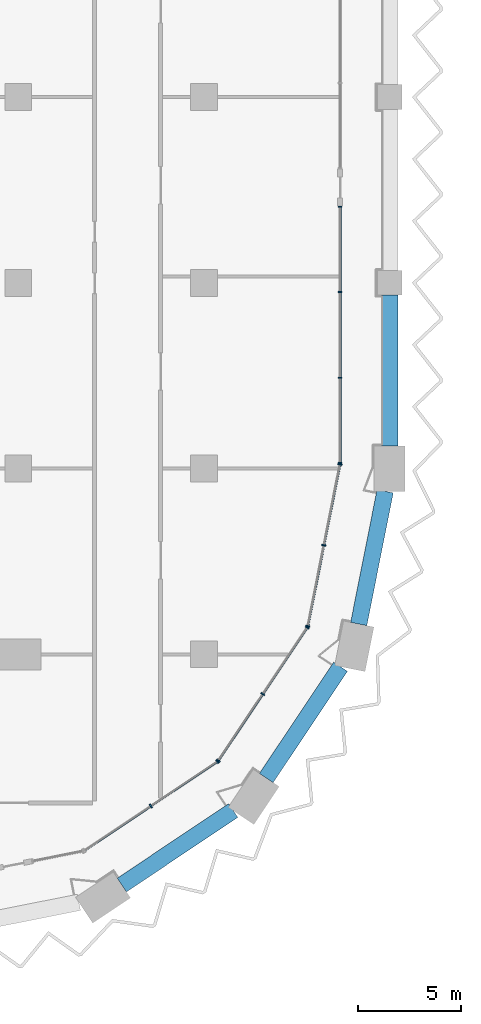
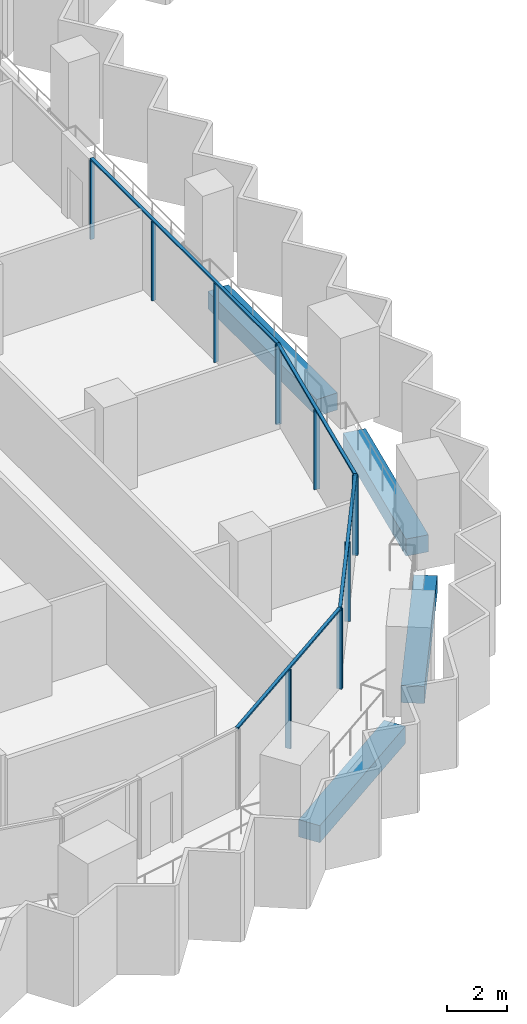
# One storey, part 3 of 22: 16 members, 4 beams, 4 elements without a shape of their own.
"""IFC4 building model written with IfcOpenShell, lengths in metres."""

import ifcopenshell
import ifcopenshell.guid

model = None  # the IFC model being written
_history = None  # IfcOwnerHistory: only IFC2X3 demands one
_inside = {}  # id of a spatial element -> (the spatial element, [elements in it])
_under = {}  # id of a project, library or spatial element -> (it, [spatial elements below it])
_declared = {}  # id of a project -> (the project, [libraries it declares])
_typed = {}  # id of a type object -> (the type object, [elements of that type])
_made_of = {}  # id of a material, layer set ... -> (it, [elements and type objects made of it])


def new_model(schema):
    """Start an empty IFC model of exactly this schema.

    Asked for "IFC4X3", IfcOpenShell would pick the latest addendum, in which some entities
    have other attributes; the version numbers below select the first issue.
    IFC2X3 requires an IfcOwnerHistory on every rooted entity: one is made here for all.
    """
    global model, _history
    if schema == "IFC4X3":
        model = ifcopenshell.file(schema_version=(4, 3, 0, 0))
    else:
        model = ifcopenshell.file(schema=schema)
    _inside.clear()
    _under.clear()
    _declared.clear()
    _typed.clear()
    _made_of.clear()
    _history = None
    if model.schema == "IFC2X3":
        org = make("IfcOrganization", Name="unknown")
        user = make(
            "IfcPersonAndOrganization",
            ThePerson=make("IfcPerson", FamilyName="unknown"),
            TheOrganization=org,
        )
        app = make(
            "IfcApplication",
            ApplicationDeveloper=org,
            Version="unknown",
            ApplicationFullName="unknown",
            ApplicationIdentifier="unknown",
        )
        _history = make(
            "IfcOwnerHistory",
            OwningUser=user,
            OwningApplication=app,
            ChangeAction="ADDED",
            CreationDate=0,
        )
    return model


def make(cls, **values):
    """One entity of the class cls with the attributes given. An attribute that is None is left unset."""
    return model.create_entity(
        cls, **{name: value for name, value in values.items() if value is not None}
    )


def rooted(cls, **values):
    """An entity with a GlobalId (a new one), such as an element, a storey or a relation."""
    return make(cls, GlobalId=ifcopenshell.guid.new(), OwnerHistory=_history, **values)


def si_unit(unit_type, name, prefix=None):
    """IfcSIUnit, for example si_unit("LENGTHUNIT", "METRE", prefix="MILLI")."""
    return make("IfcSIUnit", UnitType=unit_type, Prefix=prefix, Name=name)


def assignment(units):
    """IfcUnitAssignment: the units of a project."""
    return None if units is None else make("IfcUnitAssignment", Units=units)


def point(xyz):
    """IfcCartesianPoint."""
    return None if xyz is None else make("IfcCartesianPoint", Coordinates=xyz)


def direction(xyz):
    """IfcDirection."""
    return None if xyz is None else make("IfcDirection", DirectionRatios=xyz)


def frame(location, z_axis=None, x_axis=None):
    """IfcAxis2Placement3D, a coordinate frame: its origin and axes. An axis left out is left unset."""
    return make(
        "IfcAxis2Placement3D",
        Location=point(location),
        Axis=direction(z_axis),
        RefDirection=direction(x_axis),
    )


def frame_2d(location, x_axis=None):
    """IfcAxis2Placement2D, a coordinate frame in the plane: its origin and x axis."""
    return make(
        "IfcAxis2Placement2D", Location=point(location), RefDirection=direction(x_axis)
    )


def origin():
    """The frame at (0, 0, 0) with its axes left unset."""
    return frame((0.0, 0.0, 0.0))


def origin_2d():
    """The frame at (0, 0) in the plane with its x axis left unset."""
    return frame_2d((0.0, 0.0))


def place(relative_to, where):
    """IfcLocalPlacement: puts the frame where relative to a parent placement (None: the world)."""
    return make(
        "IfcLocalPlacement", PlacementRelTo=relative_to, RelativePlacement=where
    )


def context(
    kind, dimensions, precision=None, world=None, true_north=None, identifier=None
):
    """IfcGeometricRepresentationContext, for example the 3D "Model" context."""
    return make(
        "IfcGeometricRepresentationContext",
        ContextIdentifier=identifier,
        ContextType=kind,
        CoordinateSpaceDimension=dimensions,
        Precision=precision,
        WorldCoordinateSystem=world,
        TrueNorth=true_north,
    )


def subcontext(parent, identifier, kind, view, scale=None):
    """IfcGeometricRepresentationSubContext, for example "Body" below "Model"."""
    return make(
        "IfcGeometricRepresentationSubContext",
        ContextIdentifier=identifier,
        ContextType=kind,
        ParentContext=parent,
        TargetScale=scale,
        TargetView=view,
    )


def project(units=None, contexts=None):
    """IfcProject with its units and contexts."""
    return rooted(
        "IfcProject",
        Name="project",
        RepresentationContexts=contexts,
        UnitsInContext=assignment(units),
    )


def spatial(cls, under=None, at=None, **own):
    """A site, building, storey or space (cls), placed at a placement, below another one or the project."""
    s = rooted(cls, ObjectPlacement=at, **own)
    if under is not None:
        _under.setdefault(under.id(), (under, []))[1].append(s)
    return s


def profile(cls, at=None, kind="AREA", **sizes):
    """A parametric profile (cls). Its sizes go by their IFC names, for example OverallWidth=200.0."""
    return make(cls, ProfileType=kind, Position=at, **sizes)


def rectangle(**sizes):
    """IfcRectangleProfileDef."""
    return profile("IfcRectangleProfileDef", **sizes)


def extrude(swept, where, along, depth):
    """IfcExtrudedAreaSolid: the profile swept, set in the frame where, extruded along a direction by depth."""
    return make(
        "IfcExtrudedAreaSolid",
        SweptArea=swept,
        Position=where,
        ExtrudedDirection=direction(along),
        Depth=depth,
    )


def shape(context_of_items, identifier, shape_type, items):
    """IfcShapeRepresentation: the items that make up one representation, for example the "Body"."""
    return make(
        "IfcShapeRepresentation",
        ContextOfItems=context_of_items,
        RepresentationIdentifier=identifier,
        RepresentationType=shape_type,
        Items=items,
    )


def material(Name=None, Category=None):
    """IfcMaterial."""
    return make("IfcMaterial", Name=Name, Category=Category)


def material_profile(
    of_material, cross_section, Name=None, Category=None, Priority=None
):
    """IfcMaterialProfile: a cross section and its material."""
    return make(
        "IfcMaterialProfile",
        Name=Name,
        Material=of_material,
        Profile=cross_section,
        Priority=Priority,
        Category=Category,
    )


def profile_set(profiles, Name=None, composite=None):
    """IfcMaterialProfileSet."""
    return make(
        "IfcMaterialProfileSet",
        Name=Name,
        MaterialProfiles=profiles,
        CompositeProfile=composite,
    )


def made_of(thing, what):
    """Note that an element or type object is made of a material, layer set ...; save() writes the relation."""
    if what is not None:
        _made_of.setdefault(what.id(), (what, []))[1].append(thing)
    return thing


def type_object(cls, material=None, **own):
    """A type object (cls), such as IfcWallType, which elements share."""
    return made_of(rooted(cls, **own), material)


def element(
    cls,
    number,
    at=None,
    inside=None,
    cuts=None,
    type_object=None,
    material=None,
    context=None,
    identifier="Body",
    shape_type=None,
    held_by="IfcProductDefinitionShape",
    body=None,
    shapes=None,
    **own,
):
    """One element of the class cls, such as IfcWall. Its Tag is "e" and its number.

    at: its placement. inside: the storey or other place that contains it. cuts: it is an
    opening in that element (IfcRelVoidsElement). A single representation is given by context,
    identifier, shape_type and body (its items); several are given by shapes. held_by: the class
    of the entity that holds the representations. save() writes the other relations.
    """
    e = rooted(cls, Tag="e%d" % number, ObjectPlacement=at, **own)
    if body is not None:
        shapes = [shape(context, identifier, shape_type, body)]
    if shapes is not None:
        e.Representation = make(held_by, Representations=shapes)
    if inside is not None:
        _inside.setdefault(inside.id(), (inside, []))[1].append(e)
    if cuts is not None:
        rooted(
            "IfcRelVoidsElement", RelatingBuildingElement=cuts, RelatedOpeningElement=e
        )
    if type_object is not None:
        _typed.setdefault(type_object.id(), (type_object, []))[1].append(e)
    return made_of(e, material)


def aggregate(whole, parts):
    """IfcRelAggregates: a whole, such as a stair, and the parts it consists of."""
    return rooted("IfcRelAggregates", RelatingObject=whole, RelatedObjects=parts)


def save(model, path):
    """Write the relations noted so far, then the file.

    IfcRelAggregates (storeys below a building ...), IfcRelContainedInSpatialStructure (elements
    in a storey), IfcRelDefinesByType, IfcRelAssociatesMaterial and IfcRelDeclares: one each for
    every whole, place, type object, material and project.
    """
    for whole, parts in _under.values():
        aggregate(whole, parts)
    for where, things in _inside.values():
        rooted(
            "IfcRelContainedInSpatialStructure",
            RelatedElements=things,
            RelatingStructure=where,
        )
    for kind, things in _typed.values():
        rooted("IfcRelDefinesByType", RelatedObjects=things, RelatingType=kind)
    for what, things in _made_of.values():
        rooted("IfcRelAssociatesMaterial", RelatedObjects=things, RelatingMaterial=what)
    for by, libraries in _declared.values():
        rooted("IfcRelDeclares", RelatingContext=by, RelatedDefinitions=libraries)
    model.write(path)


model = new_model("IFC4")

# Units and contexts
model_context = context("Model", 3, precision=1e-05, world=origin(), true_north=direction((0.0, 1.0)))
body_context = subcontext(model_context, "Body", "Model", "MODEL_VIEW")
ifc_project = project(units=[si_unit("LENGTHUNIT", "METRE"), si_unit("AREAUNIT", "SQUARE_METRE"), si_unit("VOLUMEUNIT", "CUBIC_METRE"), si_unit("PLANEANGLEUNIT", "RADIAN"), si_unit("MASSUNIT", "GRAM", prefix="KILO")], contexts=[model_context])

# Site, building, storey
site_placement = place(None, origin())
site = spatial("IfcSite", under=ifc_project, at=site_placement, CompositionType="ELEMENT")
building_placement = place(site_placement, origin())
building = spatial("IfcBuilding", under=site, at=building_placement, Name="Hunhe Ridgeline Campus", CompositionType="ELEMENT")
storey_placement = place(building_placement, frame((0.0, 0.0, 92.199951171875)))
storey = spatial("IfcBuildingStorey", under=building, at=storey_placement, Name="L22", CompositionType="ELEMENT", Elevation=92.199951171875)

# Curtain wall, members
ifc_material_1 = material(Name="Aluminium 6063", Category="aluminium")
curtain_wall_type_1 = type_object("IfcCurtainWallType", Name="Curtain wall CW-1", PredefinedType="NOTDEFINED", material=ifc_material_1)
curtain_wall_1_placement = place(storey_placement, origin())
curtain_wall_1 = element("IfcCurtainWall", 1, at=curtain_wall_1_placement, inside=storey, type_object=curtain_wall_type_1, Name="Curtain wall 11", PredefinedType="NOTDEFINED")
ifc_material_profile_1 = material_profile(ifc_material_1, rectangle(XDim=0.159912109375, YDim=0.06005859375, at=origin_2d()))
ifc_profile_set_1 = profile_set([ifc_material_profile_1], Name="Aluminium 6063")
member_type_1 = type_object("IfcMemberType", Name="CW-1 aluminium mullion", PredefinedType="MULLION", material=ifc_profile_set_1)
member_1_placement = place(storey_placement, frame((42.59912109375, 27.266357421875, 0.0), z_axis=(0.0, 0.0, 1.0), x_axis=(-0.99999999994, 1.0975712e-05, 0.0)))
member_1 = element("IfcMember", 2, at=member_1_placement, type_object=member_type_1, Name="CW-1 mullion 1", PredefinedType="MULLION", context=body_context, shape_type="SweptSolid", body=[
    extrude(rectangle(XDim=0.159912109375, YDim=0.06005859375, at=origin_2d()), origin(), (0.0, 0.0, 1.0), 3.239990234375),
])
member_2_placement = place(storey_placement, frame((42.59912109375, 31.397216796875, 0.0), z_axis=(0.0, 0.0, 1.0), x_axis=(-0.99999999994, 1.0975712e-05, 0.0)))
member_2 = element("IfcMember", 3, at=member_2_placement, type_object=member_type_1, Name="CW-1 mullion 2", PredefinedType="MULLION", context=body_context, shape_type="SweptSolid", body=[
    extrude(rectangle(XDim=0.159912109375, YDim=0.06005859375, at=origin_2d()), origin(), (0.0, 0.0, 1.0), 3.239990234375),
])
member_3_placement = place(storey_placement, frame((42.59912109375, 35.557861328125, 0.0), z_axis=(0.0, 0.0, 1.0), x_axis=(-0.99999999994, 1.0975712e-05, 0.0)))
member_3 = element("IfcMember", 4, at=member_3_placement, type_object=member_type_1, Name="CW-1 mullion 3", PredefinedType="MULLION", context=body_context, shape_type="SweptSolid", body=[
    extrude(rectangle(XDim=0.159912109375, YDim=0.06005859375, at=origin_2d()), origin(), (0.0, 0.0, 1.0), 3.239990234375),
])
member_4_placement = place(storey_placement, frame((42.59912109375, 39.6884765625, 0.0), z_axis=(0.0, 0.0, 1.0), x_axis=(-0.99999999994, 1.0975712e-05, 0.0)))
member_4 = element("IfcMember", 5, at=member_4_placement, type_object=member_type_1, Name="CW-1 mullion 4", PredefinedType="MULLION", context=body_context, shape_type="SweptSolid", body=[
    extrude(rectangle(XDim=0.159912109375, YDim=0.06005859375, at=origin_2d()), origin(), (0.0, 0.0, 1.0), 3.239990234375),
])
ifc_material_profile_2 = material_profile(ifc_material_1, rectangle(XDim=0.1201171875, YDim=0.06005859375, at=origin_2d()))
ifc_profile_set_2 = profile_set([ifc_material_profile_2], Name="Aluminium 6063")
member_type_2 = type_object("IfcMemberType", Name="CW-1 aluminium transom", PredefinedType="USERDEFINED", material=ifc_profile_set_2)
member_5_placement = place(storey_placement, frame((42.59912109375, 27.236572265625, 3.27001953125), z_axis=(0.0, 1.0, 0.0), x_axis=(-1.0, 0.0, 0.0)))
member_5 = element("IfcMember", 6, at=member_5_placement, type_object=member_type_2, Name="CW-1 transom 1", ObjectType="TRANSOM", PredefinedType="USERDEFINED", context=body_context, shape_type="SweptSolid", body=[
    extrude(rectangle(XDim=0.1201171875, YDim=0.06005859375, at=origin_2d()), origin(), (0.0, 0.0, 1.0), 12.48193359375),
])
aggregate(curtain_wall_1, [member_5, member_1, member_2, member_3, member_4])

curtain_wall_type_2 = type_object("IfcCurtainWallType", Name="Curtain wall CW-5", PredefinedType="NOTDEFINED", material=ifc_material_1)
curtain_wall_2_placement = place(storey_placement, origin())
curtain_wall_2 = element("IfcCurtainWall", 7, at=curtain_wall_2_placement, inside=storey, type_object=curtain_wall_type_2, Name="Curtain wall 08", PredefinedType="NOTDEFINED")
ifc_material_profile_3 = material_profile(ifc_material_1, rectangle(XDim=0.199951171875, YDim=0.070068359375, at=origin_2d()))
ifc_profile_set_3 = profile_set([ifc_material_profile_3], Name="Aluminium 6063")
member_type_3 = type_object("IfcMemberType", Name="CW-5 aluminium mullion", PredefinedType="MULLION", material=ifc_profile_set_3)
member_6_placement = place(storey_placement, frame((33.42626953125, 10.647705078125, 0.0), z_axis=(0.0, 0.0, 1.0), x_axis=(-0.555570274596, 0.831469584522, 0.0)))
member_6 = element("IfcMember", 8, at=member_6_placement, type_object=member_type_3, Name="CW-5 mullion 2", PredefinedType="MULLION", context=body_context, shape_type="SweptSolid", body=[
    extrude(rectangle(XDim=0.199951171875, YDim=0.070068359375, at=origin_2d()), origin(), (0.0, 0.0, 1.0), 3.22998046875),
])
member_7_placement = place(storey_placement, frame((36.649658203125, 12.8017578125, 0.0), z_axis=(0.0, 0.0, 1.0), x_axis=(-0.555570274596, 0.831469584522, 0.0)))
member_7 = element("IfcMember", 9, at=member_7_placement, type_object=member_type_3, Name="CW-5 mullion 3", PredefinedType="MULLION", context=body_context, shape_type="SweptSolid", body=[
    extrude(rectangle(XDim=0.199951171875, YDim=0.070068359375, at=origin_2d()), origin(), (0.0, 0.0, 1.0), 3.22998046875),
])

curtain_wall_3_placement = place(storey_placement, origin())
curtain_wall_3 = element("IfcCurtainWall", 10, at=curtain_wall_3_placement, inside=storey, type_object=curtain_wall_type_2, Name="Curtain wall 09", PredefinedType="NOTDEFINED")
member_8_placement = place(storey_placement, frame((36.6982421875, 12.850341796875, 0.0), z_axis=(0.0, 0.0, 1.0), x_axis=(-0.831469584522, 0.555570274596, 0.0)))
member_8 = element("IfcMember", 11, at=member_8_placement, type_object=member_type_3, Name="CW-5 mullion 1", PredefinedType="MULLION", context=body_context, shape_type="SweptSolid", body=[
    extrude(rectangle(XDim=0.199951171875, YDim=0.070068359375, at=origin_2d()), origin(), (0.0, 0.0, 1.0), 3.22998046875),
])
member_9_placement = place(storey_placement, frame((38.852294921875, 16.07373046875, 0.0), z_axis=(0.0, 0.0, 1.0), x_axis=(-0.831469584522, 0.555570274596, 0.0)))
member_9 = element("IfcMember", 12, at=member_9_placement, type_object=member_type_3, Name="CW-5 mullion 2", PredefinedType="MULLION", context=body_context, shape_type="SweptSolid", body=[
    extrude(rectangle(XDim=0.199951171875, YDim=0.070068359375, at=origin_2d()), origin(), (0.0, 0.0, 1.0), 3.22998046875),
])
member_10_placement = place(storey_placement, frame((41.006103515625, 19.29736328125, 0.0), z_axis=(0.0, 0.0, 1.0), x_axis=(-0.831469584522, 0.555570274596, 0.0)))
member_10 = element("IfcMember", 13, at=member_10_placement, type_object=member_type_3, Name="CW-5 mullion 3", PredefinedType="MULLION", context=body_context, shape_type="SweptSolid", body=[
    extrude(rectangle(XDim=0.199951171875, YDim=0.070068359375, at=origin_2d()), origin(), (0.0, 0.0, 1.0), 3.22998046875),
])

curtain_wall_4_placement = place(storey_placement, origin())
curtain_wall_4 = element("IfcCurtainWall", 14, at=curtain_wall_4_placement, inside=storey, type_object=curtain_wall_type_2, Name="Curtain wall 10", PredefinedType="NOTDEFINED")
member_11_placement = place(storey_placement, frame((41.032470703125, 19.36083984375, 0.0), z_axis=(0.0, 0.0, 1.0), x_axis=(-0.980785284939, 0.195090299215, 0.0)))
member_11 = element("IfcMember", 15, at=member_11_placement, type_object=member_type_3, Name="CW-5 mullion 1", PredefinedType="MULLION", context=body_context, shape_type="SweptSolid", body=[
    extrude(rectangle(XDim=0.199951171875, YDim=0.070068359375, at=origin_2d()), origin(), (0.0, 0.0, 1.0), 3.22998046875),
])
member_12_placement = place(storey_placement, frame((41.812255859375, 23.281494140625, 0.0), z_axis=(0.0, 0.0, 1.0), x_axis=(-0.980785284939, 0.195090299215, 0.0)))
member_12 = element("IfcMember", 16, at=member_12_placement, type_object=member_type_3, Name="CW-5 mullion 2", PredefinedType="MULLION", context=body_context, shape_type="SweptSolid", body=[
    extrude(rectangle(XDim=0.199951171875, YDim=0.070068359375, at=origin_2d()), origin(), (0.0, 0.0, 1.0), 3.22998046875),
])
member_13_placement = place(storey_placement, frame((42.59228515625, 27.2021484375, 0.0), z_axis=(0.0, 0.0, 1.0), x_axis=(-0.980785284939, 0.195090299215, 0.0)))
member_13 = element("IfcMember", 17, at=member_13_placement, type_object=member_type_3, Name="CW-5 mullion 3", PredefinedType="MULLION", context=body_context, shape_type="SweptSolid", body=[
    extrude(rectangle(XDim=0.199951171875, YDim=0.070068359375, at=origin_2d()), origin(), (0.0, 0.0, 1.0), 3.22998046875),
])

# Member
ifc_material_profile_4 = material_profile(ifc_material_1, rectangle(XDim=0.1201171875, YDim=0.070068359375, at=origin_2d()))
ifc_profile_set_4 = profile_set([ifc_material_profile_4], Name="Aluminium 6063")
member_type_4 = type_object("IfcMemberType", Name="CW-5 aluminium transom", PredefinedType="USERDEFINED", material=ifc_profile_set_4)
member_14_placement = place(storey_placement, frame((30.173583984375, 8.474365234375, 3.26513671875), z_axis=(0.831473763475, 0.5555640203, 0.0), x_axis=(-0.5555640203, 0.831473763475, 0.0)))
member_14 = element("IfcMember", 18, at=member_14_placement, type_object=member_type_4, Name="CW-5 transom 1", ObjectType="TRANSOM", PredefinedType="USERDEFINED", context=body_context, shape_type="SweptSolid", body=[
    extrude(rectangle(XDim=0.1201171875, YDim=0.070068359375, at=origin_2d()), origin(), (0.0, 0.0, 1.0), 7.823974609375),
])

aggregate(curtain_wall_2, [member_14, member_6, member_7])

member_15_placement = place(storey_placement, frame((36.678955078125, 12.821044921875, 3.26513671875), z_axis=(0.5555640203, 0.831473763475, 0.0), x_axis=(-0.831473763475, 0.5555640203, 0.0)))
member_15 = element("IfcMember", 19, at=member_15_placement, type_object=member_type_4, Name="CW-5 transom 1", ObjectType="TRANSOM", PredefinedType="USERDEFINED", context=body_context, shape_type="SweptSolid", body=[
    extrude(rectangle(XDim=0.1201171875, YDim=0.070068359375, at=origin_2d()), origin(), (0.0, 0.0, 1.0), 7.823974609375),
])

aggregate(curtain_wall_3, [member_15, member_8, member_9, member_10])

member_16_placement = place(storey_placement, frame((41.025634765625, 19.326416015625, 3.26513671875), z_axis=(0.195097290093, 0.980783894341, 0.0), x_axis=(-0.980783894341, 0.195097290093, 0.0)))
member_16 = element("IfcMember", 20, at=member_16_placement, type_object=member_type_4, Name="CW-5 transom 1", ObjectType="TRANSOM", PredefinedType="USERDEFINED", context=body_context, shape_type="SweptSolid", body=[
    extrude(rectangle(XDim=0.1201171875, YDim=0.070068359375, at=origin_2d()), origin(), (0.0, 0.0, 1.0), 8.065185546875),
])

aggregate(curtain_wall_4, [member_16, member_11, member_12, member_13])

# Beams
ifc_material_2 = material(Name="Concrete C60", Category="concrete")
ifc_material_profile_5 = material_profile(ifc_material_2, rectangle(XDim=0.800048828125, YDim=0.699951171875, at=origin_2d()))
ifc_profile_set_5 = profile_set([ifc_material_profile_5], Name="Concrete C60")
beam_type = type_object("IfcBeamType", Name="RC spandrel beam 800x700 Concrete C60", PredefinedType="SPANDREL", material=ifc_profile_set_5)
for number, where, z_axis, x_axis, name in (
    (21, (32.02490234375, 6.82373046875, -0.599853515625), (0.831459384183, 0.555585540178, 0.0), (-0.555585540178, 0.831459384183, 0.0), "Spandrel beam B1-6 L22"),
    (22, (39.02099609375, 12.004638671875, -0.599853515625), (0.555559527577, 0.831476765351, 0.0), (-0.831476765351, 0.555559527577, 0.0), "Spandrel beam B1-7 L22"),
):
    element("IfcBeam", number, at=place(storey_placement, frame(where, z_axis=z_axis, x_axis=x_axis)), inside=storey, type_object=beam_type, Name=name, PredefinedType="SPANDREL", context=body_context, shape_type="SweptSolid", body=[
        extrude(rectangle(XDim=0.800048828125, YDim=0.699951171875, at=origin_2d()), origin(), (0.0, 0.0, 1.0), 6.488525390625),
    ])
beam_1_placement = place(storey_placement, frame((43.501953125, 19.468505859375, -0.599853515625), z_axis=(0.195092166671, 0.980784913477, 0.0), x_axis=(-0.980784913477, 0.195092166671, 0.0)))
element("IfcBeam", 23, at=beam_1_placement, inside=storey, type_object=beam_type, Name="Spandrel beam B1-8 L22", PredefinedType="SPANDREL", context=body_context, shape_type="SweptSolid", body=[
    extrude(rectangle(XDim=0.800048828125, YDim=0.699951171875, at=origin_2d()), origin(), (0.0, 0.0, 1.0), 6.557373046875),
])
beam_2_placement = place(storey_placement, frame((45.0, 28.10009765625, -0.599853515625), z_axis=(0.0, 1.0, 0.0), x_axis=(-1.0, 0.0, 0.0)))
element("IfcBeam", 24, at=beam_2_placement, inside=storey, type_object=beam_type, Name="Spandrel beam B1-9 L22", PredefinedType="SPANDREL", context=body_context, shape_type="SweptSolid", body=[
    extrude(rectangle(XDim=0.800048828125, YDim=0.699951171875, at=origin_2d()), origin(), (0.0, 0.0, 1.0), 7.2998046875),
])

save(model, "model.ifc")
